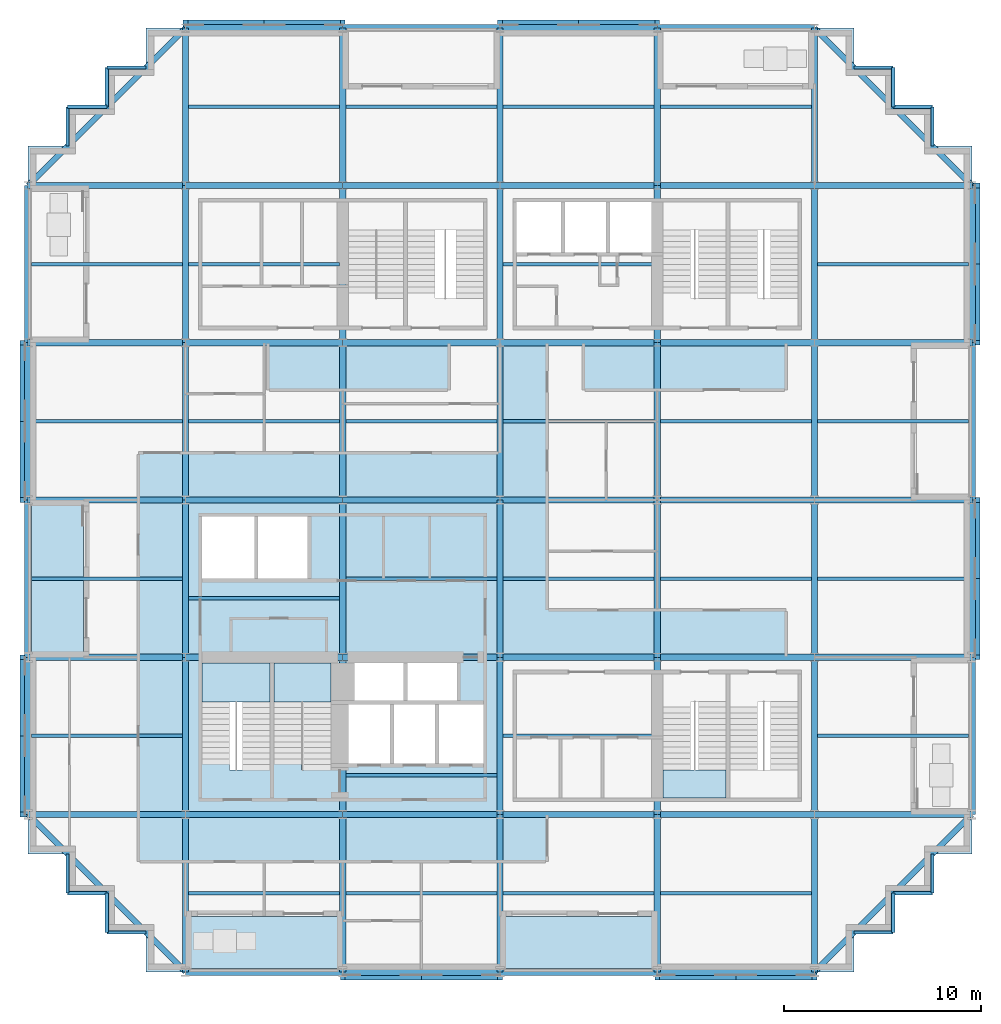
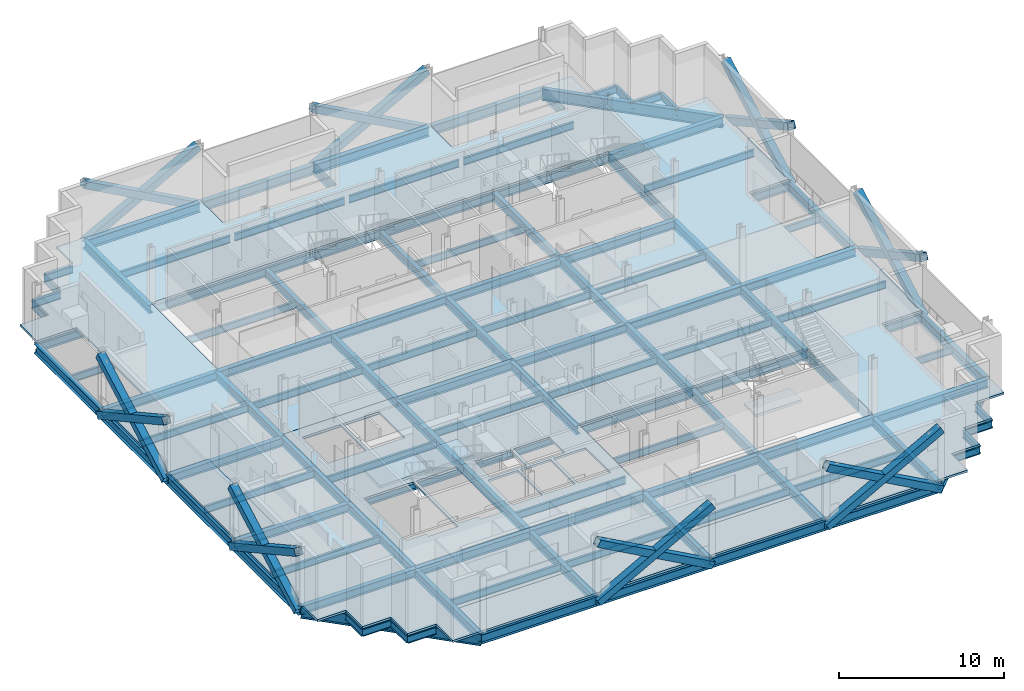
# One storey, part 3 of 13: 124 beams, 16 members, 8 slabs, 3 elements without a shape of their own.
"""IFC4 building model written with IfcOpenShell, lengths in metres."""

from ifc_helpers import new_model, si_unit, direction, frame, origin, origin_2d, place, context, subcontext, project, spatial, polyline, hollow_rectangle, i_section, outline, extrude, material, layer, layer_set, material_profile, profile_set, type_object, element, aggregate, save


model = new_model("IFC4")

# Units and contexts
model_context = context("Model", 3, precision=1e-05, world=origin(), true_north=direction((0.0, 1.0)))
body_context = subcontext(model_context, "Body", "Model", "MODEL_VIEW")
ifc_project = project(units=[si_unit("LENGTHUNIT", "METRE"), si_unit("AREAUNIT", "SQUARE_METRE"), si_unit("VOLUMEUNIT", "CUBIC_METRE"), si_unit("PLANEANGLEUNIT", "RADIAN"), si_unit("MASSUNIT", "GRAM", prefix="KILO")], contexts=[model_context])

# Site, building, storey
site_placement = place(None, origin())
site = spatial("IfcSite", under=ifc_project, at=site_placement, CompositionType="ELEMENT")
building_placement = place(site_placement, origin())
building = spatial("IfcBuilding", under=site, at=building_placement, Name="Immortelle Media Tower", CompositionType="ELEMENT")
storey_placement = place(building_placement, frame((0.0, 0.0, 34.800048828125)))
storey = spatial("IfcBuildingStorey", under=building, at=storey_placement, Name="L04", CompositionType="ELEMENT", Elevation=34.800048828125)

# Members
ifc_material_1 = material(Name="Steel ASTM A500 Gr C", Category="steel")
ifc_material_profile_1 = material_profile(ifc_material_1, hollow_rectangle(XDim=0.508056640625, YDim=0.508056640625, WallThickness=0.011962890625, at=origin_2d()), Name="HSS20x20x1/2 brace")
ifc_profile_set_1 = profile_set([ifc_material_profile_1], Name="Steel ASTM A500 Gr C")
member_type = type_object("IfcMemberType", Name="HSS20x20x1/2 brace", PredefinedType="BRACE", material=ifc_profile_set_1)
for number, where, z_axis, x_axis, name in (
    (1, (-0.1640625, 32.0, -0.498046875), (0.0, -0.876220425204, 0.481910537812), (1.0, 0.0, 0.0), "Brace 1/D-E A"),
    (2, (-0.1640625, 32.0, 3.90185546875), (0.0, -0.876220425204, -0.481910537812), (1.0, 0.0, 0.0), "Brace 1/D-E B"),
    (3, (-0.1640625, 16.0, -0.498046875), (0.0, -0.876220425204, 0.481910537812), (1.0, 0.0, 0.0), "Brace 1/B-C A"),
    (4, (-0.1640625, 16.0, 3.90185546875), (0.0, -0.876220425204, -0.481910537812), (1.0, 0.0, 0.0), "Brace 1/B-C B"),
    (5, (16.0, -0.1640625, -0.498046875), (0.876220425204, 0.0, 0.481910537812), (0.0, 1.0, 0.0), "Brace A/3-4 A"),
    (6, (16.0, -0.1640625, 3.90185546875), (0.876220425204, 0.0, -0.481910537812), (0.0, 1.0, 0.0), "Brace A/3-4 B"),
    (7, (32.0, -0.1640625, -0.498046875), (0.876220425204, 0.0, 0.481910537812), (0.0, 1.0, 0.0), "Brace A/5-6 A"),
    (8, (32.0, -0.1640625, 3.90185546875), (0.876220425204, 0.0, -0.481910537812), (0.0, 1.0, 0.0), "Brace A/5-6 B"),
    (9, (48.1640625, 16.0, -0.498046875), (0.0, 0.876220425204, 0.481910537812), (-1.0, 0.0, 0.0), "Brace 7/C-D A"),
    (10, (48.1640625, 16.0, 3.90185546875), (0.0, 0.876220425204, -0.481910537812), (-1.0, 0.0, 0.0), "Brace 7/C-D B"),
    (11, (48.1640625, 32.0, -0.498046875), (0.0, 0.876220425204, 0.481910537812), (-1.0, 0.0, 0.0), "Brace 7/E-F A"),
    (12, (48.1640625, 32.0, 3.90185546875), (0.0, 0.876220425204, -0.481910537812), (-1.0, 0.0, 0.0), "Brace 7/E-F B"),
    (13, (32.0, 48.1640625, -0.498046875), (-0.876220425204, 0.0, 0.481910537812), (0.0, -1.0, 0.0), "Brace G/4-5 A"),
    (14, (32.0, 48.1640625, 3.90185546875), (-0.876220425204, 0.0, -0.481910537812), (0.0, -1.0, 0.0), "Brace G/4-5 B"),
    (15, (16.0, 48.1640625, -0.498046875), (-0.876220425204, 0.0, 0.481910537812), (0.0, -1.0, 0.0), "Brace G/2-3 A"),
    (16, (16.0, 48.1640625, 3.90185546875), (-0.876220425204, 0.0, -0.481910537812), (0.0, -1.0, 0.0), "Brace G/2-3 B"),
):
    element("IfcMember", number, at=place(storey_placement, frame(where, z_axis=z_axis, x_axis=x_axis)), inside=storey, type_object=member_type, Name=name, PredefinedType="BRACE", context=body_context, shape_type="SweptSolid", body=[
        extrude(hollow_rectangle(XDim=0.508056640625, YDim=0.508056640625, WallThickness=0.011962890625, at=origin_2d()), origin(), (0.0, 0.0, 1.0), 9.130126953125),
    ])

# Beams
ifc_material_2 = material(Name="Steel ASTM A992 Gr 50", Category="steel")
ifc_material_profile_2 = material_profile(ifc_material_2, i_section(OverallWidth=0.1669921875, OverallDepth=0.535888671875, WebThickness=0.010009765625, FlangeThickness=0.01708984375, at=origin_2d()), Name="W21x57")
ifc_profile_set_2 = profile_set([ifc_material_profile_2], Name="Steel ASTM A992 Gr 50")
beam_type_1 = type_object("IfcBeamType", Name="W21x57 secondary beam", PredefinedType="JOIST", material=ifc_profile_set_2)
for number, where, z_axis, x_axis, name in (
    (17, (8.162109375, 4.0, -0.41796875), (1.0, 0.0, 0.0), (0.0, 1.0, 0.0), "Beam A-B/2-3"),
    (18, (16.162109375, 4.0, -0.41796875), (1.0, 0.0, 0.0), (0.0, 1.0, 0.0), "Beam A-B/3-4"),
    (19, (24.162109375, 4.0, -0.41796875), (1.0, 0.0, 0.0), (0.0, 1.0, 0.0), "Beam A-B/4-5"),
    (20, (32.162109375, 4.0, -0.41796875), (1.0, 0.0, 0.0), (0.0, 1.0, 0.0), "Beam A-B/5-6"),
):
    element("IfcBeam", number, at=place(storey_placement, frame(where, z_axis=z_axis, x_axis=x_axis)), inside=storey, type_object=beam_type_1, Name=name, PredefinedType="JOIST", context=body_context, shape_type="SweptSolid", body=[
        extrude(i_section(OverallWidth=0.1669921875, OverallDepth=0.535888671875, WebThickness=0.010009765625, FlangeThickness=0.01708984375, at=origin_2d()), origin(), (0.0, 0.0, 1.0), 7.67578125),
    ])
beam_1_placement = place(storey_placement, frame((0.177978515625, 12.0, -0.41796875), z_axis=(1.0, 0.0, 0.0), x_axis=(0.0, 1.0, 0.0)))
element("IfcBeam", 21, at=beam_1_placement, inside=storey, type_object=beam_type_1, Name="Beam B-C/1-2", PredefinedType="JOIST", context=body_context, shape_type="SweptSolid", body=[
    extrude(i_section(OverallWidth=0.1669921875, OverallDepth=0.535888671875, WebThickness=0.010009765625, FlangeThickness=0.01708984375, at=origin_2d()), origin(), (0.0, 0.0, 1.0), 7.659912109375),
])
for number, where, z_axis, x_axis, name in (
    (22, (16.162109375, 10.0, -0.41796875), (1.0, 0.0, 0.0), (0.0, 1.0, 0.0), "Beam B-C/3-4"),
    (23, (24.162109375, 12.0, -0.41796875), (1.0, 0.0, 0.0), (0.0, 1.0, 0.0), "Beam B-C/4-5"),
):
    element("IfcBeam", number, at=place(storey_placement, frame(where, z_axis=z_axis, x_axis=x_axis)), inside=storey, type_object=beam_type_1, Name=name, PredefinedType="JOIST", context=body_context, shape_type="SweptSolid", body=[
        extrude(i_section(OverallWidth=0.1669921875, OverallDepth=0.535888671875, WebThickness=0.010009765625, FlangeThickness=0.01708984375, at=origin_2d()), origin(), (0.0, 0.0, 1.0), 7.67578125),
    ])
for number, where, z_axis, x_axis, name in (
    (24, (40.162109375, 12.0, -0.41796875), (1.0, 0.0, 0.0), (0.0, 1.0, 0.0), "Beam B-C/6-7"),
    (25, (0.177978515625, 20.0, -0.41796875), (1.0, 0.0, 0.0), (0.0, 1.0, 0.0), "Beam C-D/1-2"),
):
    element("IfcBeam", number, at=place(storey_placement, frame(where, z_axis=z_axis, x_axis=x_axis)), inside=storey, type_object=beam_type_1, Name=name, PredefinedType="JOIST", context=body_context, shape_type="SweptSolid", body=[
        extrude(i_section(OverallWidth=0.1669921875, OverallDepth=0.535888671875, WebThickness=0.010009765625, FlangeThickness=0.01708984375, at=origin_2d()), origin(), (0.0, 0.0, 1.0), 7.659912109375),
    ])
for number, where, z_axis, x_axis, name in (
    (26, (8.162109375, 19.0, -0.41796875), (1.0, 0.0, 0.0), (0.0, 1.0, 0.0), "Beam C-D/2-3"),
    (27, (16.162109375, 20.0, -0.41796875), (1.0, 0.0, 0.0), (0.0, 1.0, 0.0), "Beam C-D/3-4"),
    (28, (24.162109375, 20.0, -0.41796875), (1.0, 0.0, 0.0), (0.0, 1.0, 0.0), "Beam C-D/4-5"),
    (29, (32.162109375, 20.0, -0.41796875), (1.0, 0.0, 0.0), (0.0, 1.0, 0.0), "Beam C-D/5-6"),
):
    element("IfcBeam", number, at=place(storey_placement, frame(where, z_axis=z_axis, x_axis=x_axis)), inside=storey, type_object=beam_type_1, Name=name, PredefinedType="JOIST", context=body_context, shape_type="SweptSolid", body=[
        extrude(i_section(OverallWidth=0.1669921875, OverallDepth=0.535888671875, WebThickness=0.010009765625, FlangeThickness=0.01708984375, at=origin_2d()), origin(), (0.0, 0.0, 1.0), 7.67578125),
    ])
for number, where, z_axis, x_axis, name in (
    (30, (40.162109375, 20.0, -0.41796875), (1.0, 0.0, 0.0), (0.0, 1.0, 0.0), "Beam C-D/6-7"),
    (31, (0.177978515625, 28.0, -0.41796875), (1.0, 0.0, 0.0), (0.0, 1.0, 0.0), "Beam D-E/1-2"),
):
    element("IfcBeam", number, at=place(storey_placement, frame(where, z_axis=z_axis, x_axis=x_axis)), inside=storey, type_object=beam_type_1, Name=name, PredefinedType="JOIST", context=body_context, shape_type="SweptSolid", body=[
        extrude(i_section(OverallWidth=0.1669921875, OverallDepth=0.535888671875, WebThickness=0.010009765625, FlangeThickness=0.01708984375, at=origin_2d()), origin(), (0.0, 0.0, 1.0), 7.659912109375),
    ])
for number, where, z_axis, x_axis, name in (
    (32, (8.162109375, 28.0, -0.41796875), (1.0, 0.0, 0.0), (0.0, 1.0, 0.0), "Beam D-E/2-3"),
    (33, (16.162109375, 28.0, -0.41796875), (1.0, 0.0, 0.0), (0.0, 1.0, 0.0), "Beam D-E/3-4"),
    (34, (24.162109375, 28.0, -0.41796875), (1.0, 0.0, 0.0), (0.0, 1.0, 0.0), "Beam D-E/4-5"),
    (35, (32.162109375, 28.0, -0.41796875), (1.0, 0.0, 0.0), (0.0, 1.0, 0.0), "Beam D-E/5-6"),
):
    element("IfcBeam", number, at=place(storey_placement, frame(where, z_axis=z_axis, x_axis=x_axis)), inside=storey, type_object=beam_type_1, Name=name, PredefinedType="JOIST", context=body_context, shape_type="SweptSolid", body=[
        extrude(i_section(OverallWidth=0.1669921875, OverallDepth=0.535888671875, WebThickness=0.010009765625, FlangeThickness=0.01708984375, at=origin_2d()), origin(), (0.0, 0.0, 1.0), 7.67578125),
    ])
for number, where, z_axis, x_axis, name in (
    (36, (40.162109375, 28.0, -0.41796875), (1.0, 0.0, 0.0), (0.0, 1.0, 0.0), "Beam D-E/6-7"),
    (37, (0.177978515625, 36.0, -0.41796875), (1.0, 0.0, 0.0), (0.0, 1.0, 0.0), "Beam E-F/1-2"),
):
    element("IfcBeam", number, at=place(storey_placement, frame(where, z_axis=z_axis, x_axis=x_axis)), inside=storey, type_object=beam_type_1, Name=name, PredefinedType="JOIST", context=body_context, shape_type="SweptSolid", body=[
        extrude(i_section(OverallWidth=0.1669921875, OverallDepth=0.535888671875, WebThickness=0.010009765625, FlangeThickness=0.01708984375, at=origin_2d()), origin(), (0.0, 0.0, 1.0), 7.659912109375),
    ])
for number, where, z_axis, x_axis, name in (
    (38, (8.162109375, 36.0, -0.41796875), (1.0, 0.0, 0.0), (0.0, 1.0, 0.0), "Beam E-F/2-3"),
    (39, (24.162109375, 36.0, -0.41796875), (1.0, 0.0, 0.0), (0.0, 1.0, 0.0), "Beam E-F/4-5"),
):
    element("IfcBeam", number, at=place(storey_placement, frame(where, z_axis=z_axis, x_axis=x_axis)), inside=storey, type_object=beam_type_1, Name=name, PredefinedType="JOIST", context=body_context, shape_type="SweptSolid", body=[
        extrude(i_section(OverallWidth=0.1669921875, OverallDepth=0.535888671875, WebThickness=0.010009765625, FlangeThickness=0.01708984375, at=origin_2d()), origin(), (0.0, 0.0, 1.0), 7.67578125),
    ])
beam_2_placement = place(storey_placement, frame((40.162109375, 36.0, -0.41796875), z_axis=(1.0, 0.0, 0.0), x_axis=(0.0, 1.0, 0.0)))
element("IfcBeam", 40, at=beam_2_placement, inside=storey, type_object=beam_type_1, Name="Beam E-F/6-7", PredefinedType="JOIST", context=body_context, shape_type="SweptSolid", body=[
    extrude(i_section(OverallWidth=0.1669921875, OverallDepth=0.535888671875, WebThickness=0.010009765625, FlangeThickness=0.01708984375, at=origin_2d()), origin(), (0.0, 0.0, 1.0), 7.659912109375),
])
for number, where, z_axis, x_axis, name in (
    (41, (8.162109375, 44.0, -0.41796875), (1.0, 0.0, 0.0), (0.0, 1.0, 0.0), "Beam F-G/2-3"),
    (42, (16.162109375, 44.0, -0.41796875), (1.0, 0.0, 0.0), (0.0, 1.0, 0.0), "Beam F-G/3-4"),
    (43, (24.162109375, 44.0, -0.41796875), (1.0, 0.0, 0.0), (0.0, 1.0, 0.0), "Beam F-G/4-5"),
    (44, (32.162109375, 44.0, -0.41796875), (1.0, 0.0, 0.0), (0.0, 1.0, 0.0), "Beam F-G/5-6"),
):
    element("IfcBeam", number, at=place(storey_placement, frame(where, z_axis=z_axis, x_axis=x_axis)), inside=storey, type_object=beam_type_1, Name=name, PredefinedType="JOIST", context=body_context, shape_type="SweptSolid", body=[
        extrude(i_section(OverallWidth=0.1669921875, OverallDepth=0.535888671875, WebThickness=0.010009765625, FlangeThickness=0.01708984375, at=origin_2d()), origin(), (0.0, 0.0, 1.0), 7.67578125),
    ])
ifc_material_profile_3 = material_profile(ifc_material_2, i_section(OverallWidth=0.1669921875, OverallDepth=0.535888671875, WebThickness=0.010009765625, FlangeThickness=0.01708984375, at=origin_2d()), Name="W21x57")
ifc_profile_set_3 = profile_set([ifc_material_profile_3], Name="Steel ASTM A992 Gr 50")
beam_type_2 = type_object("IfcBeamType", Name="W21x57 serration edge beam", PredefinedType="SPANDREL", material=ifc_profile_set_3)
for number, where, z_axis, x_axis, name in (
    (45, (6.0, 2.0, -0.41796875), (-1.0, 0.0, 0.0), (0.0, -1.0, 0.0), "Corner edge beam 1 at 1/A"),
    (46, (4.0, 2.0, -0.41796875), (0.0, 1.0, 0.0), (-1.0, 0.0, 0.0), "Corner edge beam 2 at 1/A"),
    (47, (4.0, 4.0, -0.41796875), (-1.0, 0.0, 0.0), (0.0, -1.0, 0.0), "Corner edge beam 3 at 1/A"),
    (48, (2.0, 4.0, -0.41796875), (0.0, 1.0, 0.0), (-1.0, 0.0, 0.0), "Corner edge beam 4 at 1/A"),
    (49, (2.0, 42.0, -0.41796875), (0.0, 1.0, 0.0), (-1.0, 0.0, 0.0), "Corner edge beam 1 at 1/G"),
    (50, (2.0, 44.0, -0.41796875), (1.0, 0.0, 0.0), (0.0, 1.0, 0.0), "Corner edge beam 2 at 1/G"),
    (51, (4.0, 44.0, -0.41796875), (0.0, 1.0, 0.0), (-1.0, 0.0, 0.0), "Corner edge beam 3 at 1/G"),
    (52, (4.0, 46.0, -0.41796875), (1.0, 0.0, 0.0), (0.0, 1.0, 0.0), "Corner edge beam 4 at 1/G"),
    (53, (46.0, 6.0, -0.41796875), (0.0, -1.0, 0.0), (1.0, 0.0, 0.0), "Corner edge beam 1 at 7/A"),
    (54, (46.0, 4.0, -0.41796875), (-1.0, 0.0, 0.0), (0.0, -1.0, 0.0), "Corner edge beam 2 at 7/A"),
    (55, (44.0, 4.0, -0.41796875), (0.0, -1.0, 0.0), (1.0, 0.0, 0.0), "Corner edge beam 3 at 7/A"),
    (56, (44.0, 2.0, -0.41796875), (-1.0, 0.0, 0.0), (0.0, -1.0, 0.0), "Corner edge beam 4 at 7/A"),
    (57, (42.0, 46.0, -0.41796875), (1.0, 0.0, 0.0), (0.0, 1.0, 0.0), "Corner edge beam 1 at 7/G"),
    (58, (44.0, 46.0, -0.41796875), (0.0, -1.0, 0.0), (1.0, 0.0, 0.0), "Corner edge beam 2 at 7/G"),
    (59, (44.0, 44.0, -0.41796875), (1.0, 0.0, 0.0), (0.0, 1.0, 0.0), "Corner edge beam 3 at 7/G"),
    (60, (46.0, 44.0, -0.41796875), (0.0, -1.0, 0.0), (1.0, 0.0, 0.0), "Corner edge beam 4 at 7/G"),
):
    element("IfcBeam", number, at=place(storey_placement, frame(where, z_axis=z_axis, x_axis=x_axis)), inside=storey, type_object=beam_type_2, Name=name, PredefinedType="SPANDREL", context=body_context, shape_type="SweptSolid", body=[
        extrude(i_section(OverallWidth=0.1669921875, OverallDepth=0.535888671875, WebThickness=0.010009765625, FlangeThickness=0.01708984375, at=origin_2d()), origin(), (0.0, 0.0, 1.0), 2.0),
    ])
ifc_material_profile_4 = material_profile(ifc_material_2, i_section(OverallWidth=0.323974609375, OverallDepth=0.612060546875, WebThickness=0.012939453125, FlangeThickness=0.01904296875, at=origin_2d()), Name="W24x104")
ifc_profile_set_4 = profile_set([ifc_material_profile_4], Name="Steel ASTM A992 Gr 50")
beam_type_3 = type_object("IfcBeamType", Name="W24x104 girder", PredefinedType="BEAM", material=ifc_profile_set_4)
for number, where, z_axis, x_axis, name in (
    (61, (0.0, 8.0, -0.4560546875), (1.0, 0.0, 0.0), (0.0, 1.0, 0.0), "Girder B/1-2"),
    (62, (0.0, 16.0, -0.4560546875), (1.0, 0.0, 0.0), (0.0, 1.0, 0.0), "Girder C/1-2"),
    (63, (0.0, 24.0, -0.4560546875), (1.0, 0.0, 0.0), (0.0, 1.0, 0.0), "Girder D/1-2"),
    (64, (0.0, 32.0, -0.4560546875), (1.0, 0.0, 0.0), (0.0, 1.0, 0.0), "Girder E/1-2"),
    (65, (0.0, 40.0, -0.4560546875), (1.0, 0.0, 0.0), (0.0, 1.0, 0.0), "Girder F/1-2"),
    (66, (8.0, 0.0, -0.4560546875), (0.0, 1.0, 0.0), (-1.0, 0.0, 0.0), "Girder 2/A-B"),
    (67, (8.0, 8.0, -0.4560546875), (1.0, 0.0, 0.0), (0.0, 1.0, 0.0), "Girder B/2-3"),
    (68, (8.0, 8.0, -0.4560546875), (0.0, 1.0, 0.0), (-1.0, 0.0, 0.0), "Girder 2/B-C"),
    (69, (8.0, 16.0, -0.4560546875), (1.0, 0.0, 0.0), (0.0, 1.0, 0.0), "Girder C/2-3"),
    (70, (8.0, 16.0, -0.4560546875), (0.0, 1.0, 0.0), (-1.0, 0.0, 0.0), "Girder 2/C-D"),
    (71, (8.0, 24.0, -0.4560546875), (1.0, 0.0, 0.0), (0.0, 1.0, 0.0), "Girder D/2-3"),
    (72, (8.0, 24.0, -0.4560546875), (0.0, 1.0, 0.0), (-1.0, 0.0, 0.0), "Girder 2/D-E"),
    (73, (8.0, 32.0, -0.4560546875), (1.0, 0.0, 0.0), (0.0, 1.0, 0.0), "Girder E/2-3"),
    (74, (8.0, 32.0, -0.4560546875), (0.0, 1.0, 0.0), (-1.0, 0.0, 0.0), "Girder 2/E-F"),
    (75, (8.0, 40.0, -0.4560546875), (1.0, 0.0, 0.0), (0.0, 1.0, 0.0), "Girder F/2-3"),
    (76, (8.0, 40.0, -0.4560546875), (0.0, 1.0, 0.0), (-1.0, 0.0, 0.0), "Girder 2/F-G"),
    (77, (16.0, 0.0, -0.4560546875), (0.0, 1.0, 0.0), (-1.0, 0.0, 0.0), "Girder 3/A-B"),
    (78, (16.0, 8.0, -0.4560546875), (1.0, 0.0, 0.0), (0.0, 1.0, 0.0), "Girder B/3-4"),
    (79, (16.0, 8.0, -0.4560546875), (0.0, 1.0, 0.0), (-1.0, 0.0, 0.0), "Girder 3/B-C"),
    (80, (16.0, 16.0, -0.4560546875), (1.0, 0.0, 0.0), (0.0, 1.0, 0.0), "Girder C/3-4"),
    (81, (16.0, 16.0, -0.4560546875), (0.0, 1.0, 0.0), (-1.0, 0.0, 0.0), "Girder 3/C-D"),
    (82, (16.0, 24.0, -0.4560546875), (1.0, 0.0, 0.0), (0.0, 1.0, 0.0), "Girder D/3-4"),
    (83, (16.0, 24.0, -0.4560546875), (0.0, 1.0, 0.0), (-1.0, 0.0, 0.0), "Girder 3/D-E"),
    (84, (16.0, 32.0, -0.4560546875), (1.0, 0.0, 0.0), (0.0, 1.0, 0.0), "Girder E/3-4"),
    (85, (16.0, 32.0, -0.4560546875), (0.0, 1.0, 0.0), (-1.0, 0.0, 0.0), "Girder 3/E-F"),
    (86, (16.0, 40.0, -0.4560546875), (1.0, 0.0, 0.0), (0.0, 1.0, 0.0), "Girder F/3-4"),
    (87, (16.0, 40.0, -0.4560546875), (0.0, 1.0, 0.0), (-1.0, 0.0, 0.0), "Girder 3/F-G"),
    (88, (24.0, 0.0, -0.4560546875), (0.0, 1.0, 0.0), (-1.0, 0.0, 0.0), "Girder 4/A-B"),
    (89, (24.0, 8.0, -0.4560546875), (1.0, 0.0, 0.0), (0.0, 1.0, 0.0), "Girder B/4-5"),
    (90, (24.0, 8.0, -0.4560546875), (0.0, 1.0, 0.0), (-1.0, 0.0, 0.0), "Girder 4/B-C"),
    (91, (24.0, 16.0, -0.4560546875), (1.0, 0.0, 0.0), (0.0, 1.0, 0.0), "Girder C/4-5"),
    (92, (24.0, 16.0, -0.4560546875), (0.0, 1.0, 0.0), (-1.0, 0.0, 0.0), "Girder 4/C-D"),
    (93, (24.0, 24.0, -0.4560546875), (1.0, 0.0, 0.0), (0.0, 1.0, 0.0), "Girder D/4-5"),
    (94, (24.0, 24.0, -0.4560546875), (0.0, 1.0, 0.0), (-1.0, 0.0, 0.0), "Girder 4/D-E"),
    (95, (24.0, 32.0, -0.4560546875), (1.0, 0.0, 0.0), (0.0, 1.0, 0.0), "Girder E/4-5"),
    (96, (24.0, 32.0, -0.4560546875), (0.0, 1.0, 0.0), (-1.0, 0.0, 0.0), "Girder 4/E-F"),
    (97, (24.0, 40.0, -0.4560546875), (1.0, 0.0, 0.0), (0.0, 1.0, 0.0), "Girder F/4-5"),
    (98, (24.0, 40.0, -0.4560546875), (0.0, 1.0, 0.0), (-1.0, 0.0, 0.0), "Girder 4/F-G"),
    (99, (32.0, 0.0, -0.4560546875), (0.0, 1.0, 0.0), (-1.0, 0.0, 0.0), "Girder 5/A-B"),
    (100, (32.0, 8.0, -0.4560546875), (1.0, 0.0, 0.0), (0.0, 1.0, 0.0), "Girder B/5-6"),
    (101, (32.0, 8.0, -0.4560546875), (0.0, 1.0, 0.0), (-1.0, 0.0, 0.0), "Girder 5/B-C"),
    (102, (32.0, 16.0, -0.4560546875), (1.0, 0.0, 0.0), (0.0, 1.0, 0.0), "Girder C/5-6"),
    (103, (32.0, 16.0, -0.4560546875), (0.0, 1.0, 0.0), (-1.0, 0.0, 0.0), "Girder 5/C-D"),
    (104, (32.0, 24.0, -0.4560546875), (1.0, 0.0, 0.0), (0.0, 1.0, 0.0), "Girder D/5-6"),
    (105, (32.0, 24.0, -0.4560546875), (0.0, 1.0, 0.0), (-1.0, 0.0, 0.0), "Girder 5/D-E"),
    (106, (32.0, 32.0, -0.4560546875), (1.0, 0.0, 0.0), (0.0, 1.0, 0.0), "Girder E/5-6"),
    (107, (32.0, 32.0, -0.4560546875), (0.0, 1.0, 0.0), (-1.0, 0.0, 0.0), "Girder 5/E-F"),
    (108, (32.0, 40.0, -0.4560546875), (1.0, 0.0, 0.0), (0.0, 1.0, 0.0), "Girder F/5-6"),
    (109, (32.0, 40.0, -0.4560546875), (0.0, 1.0, 0.0), (-1.0, 0.0, 0.0), "Girder 5/F-G"),
    (110, (40.0, 0.0, -0.4560546875), (0.0, 1.0, 0.0), (-1.0, 0.0, 0.0), "Girder 6/A-B"),
    (111, (40.0, 8.0, -0.4560546875), (1.0, 0.0, 0.0), (0.0, 1.0, 0.0), "Girder B/6-7"),
    (112, (40.0, 8.0, -0.4560546875), (0.0, 1.0, 0.0), (-1.0, 0.0, 0.0), "Girder 6/B-C"),
    (113, (40.0, 16.0, -0.4560546875), (1.0, 0.0, 0.0), (0.0, 1.0, 0.0), "Girder C/6-7"),
    (114, (40.0, 16.0, -0.4560546875), (0.0, 1.0, 0.0), (-1.0, 0.0, 0.0), "Girder 6/C-D"),
    (115, (40.0, 24.0, -0.4560546875), (1.0, 0.0, 0.0), (0.0, 1.0, 0.0), "Girder D/6-7"),
    (116, (40.0, 24.0, -0.4560546875), (0.0, 1.0, 0.0), (-1.0, 0.0, 0.0), "Girder 6/D-E"),
    (117, (40.0, 32.0, -0.4560546875), (1.0, 0.0, 0.0), (0.0, 1.0, 0.0), "Girder E/6-7"),
    (118, (40.0, 32.0, -0.4560546875), (0.0, 1.0, 0.0), (-1.0, 0.0, 0.0), "Girder 6/E-F"),
    (119, (40.0, 40.0, -0.4560546875), (1.0, 0.0, 0.0), (0.0, 1.0, 0.0), "Girder F/6-7"),
    (120, (40.0, 40.0, -0.4560546875), (0.0, 1.0, 0.0), (-1.0, 0.0, 0.0), "Girder 6/F-G"),
):
    element("IfcBeam", number, at=place(storey_placement, frame(where, z_axis=z_axis, x_axis=x_axis)), inside=storey, type_object=beam_type_3, Name=name, PredefinedType="BEAM", context=body_context, shape_type="SweptSolid", body=[
        extrude(i_section(OverallWidth=0.323974609375, OverallDepth=0.612060546875, WebThickness=0.012939453125, FlangeThickness=0.01904296875, at=origin_2d()), origin(), (0.0, 0.0, 1.0), 8.0),
    ])
ifc_material_profile_5 = material_profile(ifc_material_2, i_section(OverallWidth=0.35595703125, OverallDepth=0.696044921875, WebThickness=0.014892578125, FlangeThickness=0.02490234375, at=origin_2d()), Name="W27x146")
ifc_profile_set_5 = profile_set([ifc_material_profile_5], Name="Steel ASTM A992 Gr 50")
beam_type_4 = type_object("IfcBeamType", Name="W27x146 perimeter girder", PredefinedType="SPANDREL", material=ifc_profile_set_5)
for number, where, z_axis, x_axis, name in (
    (121, (0.0, 8.0, -0.498046875), (0.0, 1.0, 0.0), (-1.0, 0.0, 0.0), "Girder 1/B-C"),
    (122, (0.0, 16.0, -0.498046875), (0.0, 1.0, 0.0), (-1.0, 0.0, 0.0), "Girder 1/C-D"),
    (123, (0.0, 24.0, -0.498046875), (0.0, 1.0, 0.0), (-1.0, 0.0, 0.0), "Girder 1/D-E"),
    (124, (0.0, 32.0, -0.498046875), (0.0, 1.0, 0.0), (-1.0, 0.0, 0.0), "Girder 1/E-F"),
    (125, (8.0, 0.0, -0.498046875), (1.0, 0.0, 0.0), (0.0, 1.0, 0.0), "Girder A/2-3"),
    (126, (8.0, 48.0, -0.498046875), (1.0, 0.0, 0.0), (0.0, 1.0, 0.0), "Girder G/2-3"),
    (127, (16.0, 0.0, -0.498046875), (1.0, 0.0, 0.0), (0.0, 1.0, 0.0), "Girder A/3-4"),
    (128, (16.0, 48.0, -0.498046875), (1.0, 0.0, 0.0), (0.0, 1.0, 0.0), "Girder G/3-4"),
    (129, (24.0, 0.0, -0.498046875), (1.0, 0.0, 0.0), (0.0, 1.0, 0.0), "Girder A/4-5"),
    (130, (24.0, 48.0, -0.498046875), (1.0, 0.0, 0.0), (0.0, 1.0, 0.0), "Girder G/4-5"),
    (131, (32.0, 0.0, -0.498046875), (1.0, 0.0, 0.0), (0.0, 1.0, 0.0), "Girder A/5-6"),
    (132, (32.0, 48.0, -0.498046875), (1.0, 0.0, 0.0), (0.0, 1.0, 0.0), "Girder G/5-6"),
    (133, (48.0, 8.0, -0.498046875), (0.0, 1.0, 0.0), (-1.0, 0.0, 0.0), "Girder 7/B-C"),
    (134, (48.0, 16.0, -0.498046875), (0.0, 1.0, 0.0), (-1.0, 0.0, 0.0), "Girder 7/C-D"),
    (135, (48.0, 24.0, -0.498046875), (0.0, 1.0, 0.0), (-1.0, 0.0, 0.0), "Girder 7/D-E"),
    (136, (48.0, 32.0, -0.498046875), (0.0, 1.0, 0.0), (-1.0, 0.0, 0.0), "Girder 7/E-F"),
):
    element("IfcBeam", number, at=place(storey_placement, frame(where, z_axis=z_axis, x_axis=x_axis)), inside=storey, type_object=beam_type_4, Name=name, PredefinedType="SPANDREL", context=body_context, shape_type="SweptSolid", body=[
        extrude(i_section(OverallWidth=0.35595703125, OverallDepth=0.696044921875, WebThickness=0.014892578125, FlangeThickness=0.02490234375, at=origin_2d()), origin(), (0.0, 0.0, 1.0), 8.0),
    ])
ifc_material_profile_6 = material_profile(ifc_material_2, i_section(OverallWidth=0.2919921875, OverallDepth=0.85888671875, WebThickness=0.01708984375, FlangeThickness=0.031005859375, at=origin_2d()), Name="W33x169")
ifc_profile_set_6 = profile_set([ifc_material_profile_6], Name="Steel ASTM A992 Gr 50")
beam_type_5 = type_object("IfcBeamType", Name="W33x169 corner girder", PredefinedType="SPANDREL", material=ifc_profile_set_6)
for number, where, z_axis, x_axis, name in (
    (137, (8.0, 0.0, -0.57958984375), (-0.707106781187, 0.707106781187, 0.0), (-0.707106781187, -0.707106781187, 0.0), "Corner girder at 1/A"),
    (138, (0.0, 40.0, -0.57958984375), (0.707106781187, 0.707106781187, 0.0), (-0.707106781187, 0.707106781187, 0.0), "Corner girder at 1/G"),
    (139, (48.0, 8.0, -0.57958984375), (-0.707106781187, -0.707106781187, 0.0), (0.707106781187, -0.707106781187, 0.0), "Corner girder at 7/A"),
    (140, (40.0, 48.0, -0.57958984375), (0.707106781187, -0.707106781187, 0.0), (0.707106781187, 0.707106781187, 0.0), "Corner girder at 7/G"),
):
    element("IfcBeam", number, at=place(storey_placement, frame(where, z_axis=z_axis, x_axis=x_axis)), inside=storey, type_object=beam_type_5, Name=name, PredefinedType="SPANDREL", context=body_context, shape_type="SweptSolid", body=[
        extrude(i_section(OverallWidth=0.2919921875, OverallDepth=0.85888671875, WebThickness=0.01708984375, FlangeThickness=0.031005859375, at=origin_2d()), origin(), (0.0, 0.0, 1.0), 11.313720703125),
    ])

# Slabs
ifc_material_3 = material(Name="Concrete C50/60 composite deck", Category="concrete")
ifc_layer_1 = layer(ifc_material_3, 0.14990234375)
ifc_layer_set_1 = layer_set([ifc_layer_1], Name="Concrete C50/60 composite deck")
slab_type_1 = type_object("IfcSlabType", Name="Balcony slab 150", PredefinedType="FLOOR", material=ifc_layer_set_1)
slab_1_placement = place(storey_placement, frame((0.0, 0.0, -0.150146484375)))
element("IfcSlab", 141, at=slab_1_placement, inside=storey, type_object=slab_type_1, Name="Balcony slab L04 W2", PredefinedType="FLOOR", context=body_context, shape_type="SweptSolid", body=[
    extrude(outline(polyline([(2.800048828125, 16.0), (2.800048828125, 24.0), (0.0, 24.0), (0.0, 16.0), (2.800048828125, 16.0)])), origin(), (0.0, 0.0, 1.0), 0.150146484375),
])
slab_2_placement = place(storey_placement, frame((0.0, 0.0, -0.150146484375)))
element("IfcSlab", 142, at=slab_2_placement, inside=storey, type_object=slab_type_1, Name="Balcony slab L04 S0", PredefinedType="FLOOR", context=body_context, shape_type="SweptSolid", body=[
    extrude(outline(polyline([(16.0, 0.0), (16.0, 2.800048828125), (8.0, 2.800048828125), (8.0, 0.0), (16.0, 0.0)])), origin(), (0.0, 0.0, 1.0), 0.150146484375),
])
slab_3_placement = place(storey_placement, frame((0.0, 0.0, -0.150146484375)))
element("IfcSlab", 143, at=slab_3_placement, inside=storey, type_object=slab_type_1, Name="Balcony slab L04 S2", PredefinedType="FLOOR", context=body_context, shape_type="SweptSolid", body=[
    extrude(outline(polyline([(32.0, 0.0), (32.0, 2.800048828125), (24.0, 2.800048828125), (24.0, 0.0), (32.0, 0.0)])), origin(), (0.0, 0.0, 1.0), 0.150146484375),
])
ifc_material_4 = material(Name="Concrete C50/60", Category="concrete")
ifc_layer_2 = layer(ifc_material_4, 0.14990234375)
ifc_layer_set_2 = layer_set([ifc_layer_2], Name="Concrete C50/60")
slab_type_2 = type_object("IfcSlabType", Name="Composite floor slab 150", PredefinedType="FLOOR", material=ifc_layer_set_2)
slab_4_placement = place(storey_placement, frame((0.0, 0.0, -0.150146484375)))
element("IfcSlab", 144, at=slab_4_placement, inside=storey, type_object=slab_type_2, Name="Floor slab L04", PredefinedType="FLOOR", context=body_context, shape_type="SweptSolid", body=[
    extrude(outline(polyline([(6.0, 0.0), (6.0, 2.0), (4.0, 2.0), (4.0, 4.0), (2.0, 4.0), (2.0, 6.0), (0.0, 6.0), (0.0, 16.0), (2.800048828125, 16.0), (2.800048828125, 24.0), (0.0, 24.0), (0.0, 32.0), (2.800048828125, 32.0), (2.800048828125, 40.0), (0.0, 40.0), (0.0, 42.0), (2.0, 42.0), (2.0, 44.0), (4.0, 44.0), (4.0, 46.0), (6.0, 46.0), (6.0, 48.0), (16.0, 48.0), (16.0, 45.199951171875), (24.0, 45.199951171875), (24.0, 48.0), (32.0, 48.0), (32.0, 45.199951171875), (40.0, 45.199951171875), (40.0, 48.0), (42.0, 48.0), (42.0, 46.0), (44.0, 46.0), (44.0, 44.0), (46.0, 44.0), (46.0, 42.0), (48.0, 42.0), (48.0, 32.0), (45.199951171875, 32.0), (45.199951171875, 24.0), (48.0, 24.0), (48.0, 16.0), (45.199951171875, 16.0), (45.199951171875, 8.0), (48.0, 8.0), (48.0, 6.0), (46.0, 6.0), (46.0, 4.0), (44.0, 4.0), (44.0, 2.0), (42.0, 2.0), (42.0, 0.0), (32.0, 0.0), (32.0, 2.800048828125), (24.0, 2.800048828125), (24.0, 0.0), (16.0, 0.0), (16.0, 2.800048828125), (8.0, 2.800048828125), (8.0, 0.0), (6.0, 0.0)]), holes=[polyline([(24.0, 24.0), (8.0, 24.0), (8.0, 8.0), (24.0, 8.0), (40.0, 8.0), (40.0, 16.0), (24.0, 16.0), (24.0, 24.0)]), polyline([(24.0, 32.0), (40.0, 32.0), (40.0, 40.0), (24.0, 40.0), (8.0, 40.0), (8.0, 32.0), (24.0, 32.0)])]), origin(), (0.0, 0.0, 1.0), 0.150146484375),
])
ifc_layer_3 = layer(ifc_material_4, 0.14990234375)
ifc_layer_set_3 = layer_set([ifc_layer_3], Name="Concrete C50/60")
slab_type_3 = type_object("IfcSlabType", Name="Core floor slab 150", PredefinedType="FLOOR", material=ifc_layer_set_3)
slab_5_placement = place(storey_placement, frame((0.0, 0.0, -0.150146484375)))
element("IfcSlab", 145, at=slab_5_placement, inside=storey, type_object=slab_type_3, Name="Core floor SW", PredefinedType="FLOOR", context=body_context, shape_type="SweptSolid", body=[
    extrude(outline(polyline([(8.0, 8.0), (24.0, 8.0), (24.0, 24.0), (8.0, 24.0), (8.0, 8.0)]), holes=[polyline([(8.85009765625, 20.0), (11.5, 20.0), (11.5, 23.14990234375), (8.85009765625, 23.14990234375), (8.85009765625, 20.0)]), polyline([(11.699951171875, 20.0), (14.199951171875, 20.0), (14.199951171875, 23.14990234375), (11.699951171875, 23.14990234375), (11.699951171875, 20.0)]), polyline([(16.60009765625, 13.800048828125), (19.10009765625, 13.800048828125), (19.10009765625, 15.699951171875), (16.60009765625, 15.699951171875), (16.60009765625, 13.800048828125)]), polyline([(19.300048828125, 13.800048828125), (21.800048828125, 13.800048828125), (21.800048828125, 15.699951171875), (19.300048828125, 15.699951171875), (19.300048828125, 13.800048828125)]), polyline([(16.300048828125, 10.60009765625), (18.39990234375, 10.60009765625), (18.39990234375, 13.60009765625), (16.300048828125, 13.60009765625), (16.300048828125, 10.60009765625)]), polyline([(18.60009765625, 10.60009765625), (20.699951171875, 10.60009765625), (20.699951171875, 13.60009765625), (18.60009765625, 13.60009765625), (18.60009765625, 10.60009765625)]), polyline([(20.89990234375, 10.60009765625), (23.14990234375, 10.60009765625), (23.14990234375, 13.60009765625), (20.89990234375, 13.60009765625), (20.89990234375, 10.60009765625)]), polyline([(8.85009765625, 15.699951171875), (12.300048828125, 15.699951171875), (12.300048828125, 10.27001953125), (10.25, 10.27001953125), (10.25, 10.56005859375), (8.85009765625, 10.56005859375), (8.85009765625, 15.699951171875)]), polyline([(12.5, 15.699951171875), (15.39990234375, 15.699951171875), (15.39990234375, 10.27001953125), (13.89990234375, 10.27001953125), (13.89990234375, 10.56005859375), (12.5, 10.56005859375), (12.5, 15.699951171875)])]), origin(), (0.0, 0.0, 1.0), 0.150146484375),
])

# Stair, slab
stair_type = type_object("IfcStairType", Name="Stair with flights", PredefinedType="DOUBLE_RETURN_STAIR", material=ifc_material_2)
stair_1_placement = place(storey_placement, origin())
stair_1 = element("IfcStair", 146, at=stair_1_placement, inside=storey, type_object=stair_type, Name="Exit stair SW1", PredefinedType="DOUBLE_RETURN_STAIR")
ifc_material_5 = material(Name="Steel ASTM A572 Gr 50", Category="steel")
ifc_layer_4 = layer(ifc_material_5, 0.199951171875)
ifc_layer_set_4 = layer_set([ifc_layer_4], Name="Steel ASTM A572 Gr 50")
slab_type_4 = type_object("IfcSlabType", Name="Stair landing 200", PredefinedType="LANDING", material=ifc_layer_set_4)
slab_6_placement = place(storey_placement, frame((0.0, 0.0, 1.911865234375)))
slab_6 = element("IfcSlab", 147, at=slab_6_placement, type_object=slab_type_4, Name="ST SW1 landing 1", PredefinedType="LANDING", context=body_context, shape_type="SweptSolid", body=[
    extrude(outline(polyline([(8.85009765625, 13.72998046875), (12.300048828125, 13.72998046875), (12.300048828125, 15.699951171875), (8.85009765625, 15.699951171875), (8.85009765625, 13.72998046875)])), origin(), (0.0, 0.0, 1.0), 0.2001953125),
])
aggregate(stair_1, [slab_6])

stair_2_placement = place(storey_placement, origin())
stair_2 = element("IfcStair", 148, at=stair_2_placement, inside=storey, type_object=stair_type, Name="Exit stair SW2", PredefinedType="DOUBLE_RETURN_STAIR")
slab_7_placement = place(storey_placement, frame((0.0, 0.0, 1.911865234375)))
slab_7 = element("IfcSlab", 149, at=slab_7_placement, type_object=slab_type_4, Name="ST SW2 landing 1", PredefinedType="LANDING", context=body_context, shape_type="SweptSolid", body=[
    extrude(outline(polyline([(12.5, 13.72998046875), (15.39990234375, 13.72998046875), (15.39990234375, 15.699951171875), (12.5, 15.699951171875), (12.5, 13.72998046875)])), origin(), (0.0, 0.0, 1.0), 0.2001953125),
])
aggregate(stair_2, [slab_7])

stair_3_placement = place(storey_placement, origin())
stair_3 = element("IfcStair", 150, at=stair_3_placement, inside=storey, type_object=stair_type, Name="Exit stair SE1", PredefinedType="DOUBLE_RETURN_STAIR")
slab_8_placement = place(storey_placement, frame((0.0, 0.0, 1.911865234375)))
slab_8 = element("IfcSlab", 151, at=slab_8_placement, type_object=slab_type_4, Name="ST SE1 landing 1", PredefinedType="LANDING", context=body_context, shape_type="SweptSolid", body=[
    extrude(outline(polyline([(32.300048828125, 8.85009765625), (35.5, 8.85009765625), (35.5, 10.27001953125), (32.300048828125, 10.27001953125), (32.300048828125, 8.85009765625)])), origin(), (0.0, 0.0, 1.0), 0.2001953125),
])
aggregate(stair_3, [slab_8])

save(model, "model.ifc")
